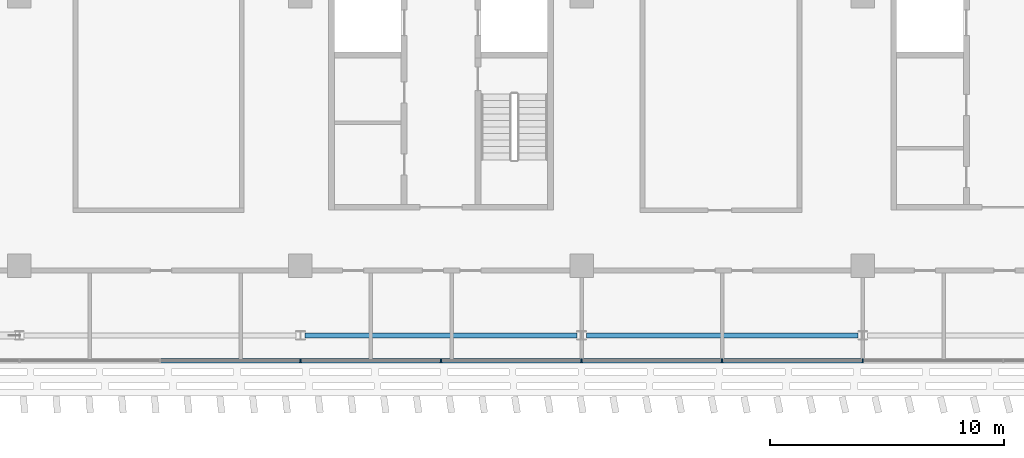
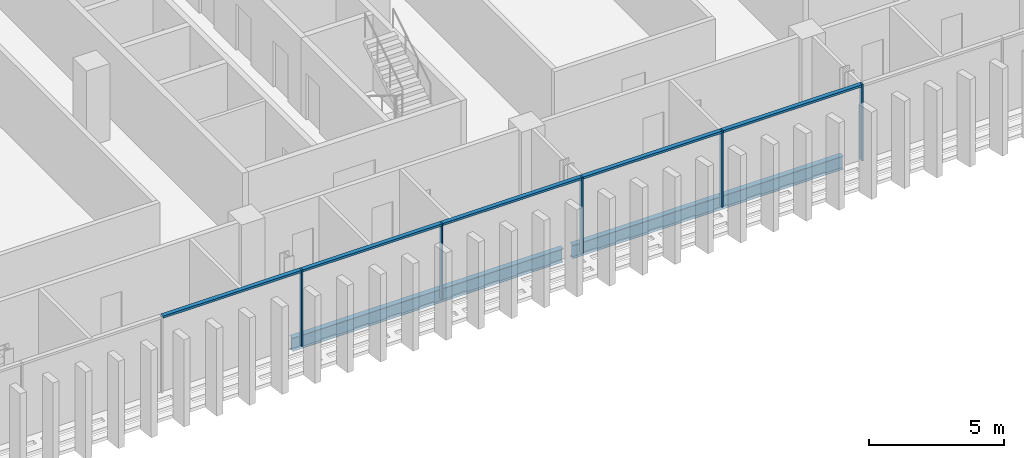
# One storey, part 8 of 32: 10 members, 2 beams, 1 element without a shape of its own.
"""IFC4 building model written with IfcOpenShell, lengths in metres."""

import ifcopenshell
import ifcopenshell.guid

model = None  # the IFC model being written
_history = None  # IfcOwnerHistory: only IFC2X3 demands one
_inside = {}  # id of a spatial element -> (the spatial element, [elements in it])
_under = {}  # id of a project, library or spatial element -> (it, [spatial elements below it])
_declared = {}  # id of a project -> (the project, [libraries it declares])
_typed = {}  # id of a type object -> (the type object, [elements of that type])
_made_of = {}  # id of a material, layer set ... -> (it, [elements and type objects made of it])


def new_model(schema):
    """Start an empty IFC model of exactly this schema.

    Asked for "IFC4X3", IfcOpenShell would pick the latest addendum, in which some entities
    have other attributes; the version numbers below select the first issue.
    IFC2X3 requires an IfcOwnerHistory on every rooted entity: one is made here for all.
    """
    global model, _history
    if schema == "IFC4X3":
        model = ifcopenshell.file(schema_version=(4, 3, 0, 0))
    else:
        model = ifcopenshell.file(schema=schema)
    _inside.clear()
    _under.clear()
    _declared.clear()
    _typed.clear()
    _made_of.clear()
    _history = None
    if model.schema == "IFC2X3":
        org = make("IfcOrganization", Name="unknown")
        user = make(
            "IfcPersonAndOrganization",
            ThePerson=make("IfcPerson", FamilyName="unknown"),
            TheOrganization=org,
        )
        app = make(
            "IfcApplication",
            ApplicationDeveloper=org,
            Version="unknown",
            ApplicationFullName="unknown",
            ApplicationIdentifier="unknown",
        )
        _history = make(
            "IfcOwnerHistory",
            OwningUser=user,
            OwningApplication=app,
            ChangeAction="ADDED",
            CreationDate=0,
        )
    return model


def make(cls, **values):
    """One entity of the class cls with the attributes given. An attribute that is None is left unset."""
    return model.create_entity(
        cls, **{name: value for name, value in values.items() if value is not None}
    )


def rooted(cls, **values):
    """An entity with a GlobalId (a new one), such as an element, a storey or a relation."""
    return make(cls, GlobalId=ifcopenshell.guid.new(), OwnerHistory=_history, **values)


def si_unit(unit_type, name, prefix=None):
    """IfcSIUnit, for example si_unit("LENGTHUNIT", "METRE", prefix="MILLI")."""
    return make("IfcSIUnit", UnitType=unit_type, Prefix=prefix, Name=name)


def assignment(units):
    """IfcUnitAssignment: the units of a project."""
    return None if units is None else make("IfcUnitAssignment", Units=units)


def point(xyz):
    """IfcCartesianPoint."""
    return None if xyz is None else make("IfcCartesianPoint", Coordinates=xyz)


def direction(xyz):
    """IfcDirection."""
    return None if xyz is None else make("IfcDirection", DirectionRatios=xyz)


def frame(location, z_axis=None, x_axis=None):
    """IfcAxis2Placement3D, a coordinate frame: its origin and axes. An axis left out is left unset."""
    return make(
        "IfcAxis2Placement3D",
        Location=point(location),
        Axis=direction(z_axis),
        RefDirection=direction(x_axis),
    )


def frame_2d(location, x_axis=None):
    """IfcAxis2Placement2D, a coordinate frame in the plane: its origin and x axis."""
    return make(
        "IfcAxis2Placement2D", Location=point(location), RefDirection=direction(x_axis)
    )


def origin():
    """The frame at (0, 0, 0) with its axes left unset."""
    return frame((0.0, 0.0, 0.0))


def origin_2d():
    """The frame at (0, 0) in the plane with its x axis left unset."""
    return frame_2d((0.0, 0.0))


def place(relative_to, where):
    """IfcLocalPlacement: puts the frame where relative to a parent placement (None: the world)."""
    return make(
        "IfcLocalPlacement", PlacementRelTo=relative_to, RelativePlacement=where
    )


def context(
    kind, dimensions, precision=None, world=None, true_north=None, identifier=None
):
    """IfcGeometricRepresentationContext, for example the 3D "Model" context."""
    return make(
        "IfcGeometricRepresentationContext",
        ContextIdentifier=identifier,
        ContextType=kind,
        CoordinateSpaceDimension=dimensions,
        Precision=precision,
        WorldCoordinateSystem=world,
        TrueNorth=true_north,
    )


def subcontext(parent, identifier, kind, view, scale=None):
    """IfcGeometricRepresentationSubContext, for example "Body" below "Model"."""
    return make(
        "IfcGeometricRepresentationSubContext",
        ContextIdentifier=identifier,
        ContextType=kind,
        ParentContext=parent,
        TargetScale=scale,
        TargetView=view,
    )


def project(units=None, contexts=None):
    """IfcProject with its units and contexts."""
    return rooted(
        "IfcProject",
        Name="project",
        RepresentationContexts=contexts,
        UnitsInContext=assignment(units),
    )


def spatial(cls, under=None, at=None, **own):
    """A site, building, storey or space (cls), placed at a placement, below another one or the project."""
    s = rooted(cls, ObjectPlacement=at, **own)
    if under is not None:
        _under.setdefault(under.id(), (under, []))[1].append(s)
    return s


def profile(cls, at=None, kind="AREA", **sizes):
    """A parametric profile (cls). Its sizes go by their IFC names, for example OverallWidth=200.0."""
    return make(cls, ProfileType=kind, Position=at, **sizes)


def rectangle(**sizes):
    """IfcRectangleProfileDef."""
    return profile("IfcRectangleProfileDef", **sizes)


def i_section(**sizes):
    """IfcIShapeProfileDef."""
    return profile("IfcIShapeProfileDef", **sizes)


def extrude(swept, where, along, depth):
    """IfcExtrudedAreaSolid: the profile swept, set in the frame where, extruded along a direction by depth."""
    return make(
        "IfcExtrudedAreaSolid",
        SweptArea=swept,
        Position=where,
        ExtrudedDirection=direction(along),
        Depth=depth,
    )


def shape(context_of_items, identifier, shape_type, items):
    """IfcShapeRepresentation: the items that make up one representation, for example the "Body"."""
    return make(
        "IfcShapeRepresentation",
        ContextOfItems=context_of_items,
        RepresentationIdentifier=identifier,
        RepresentationType=shape_type,
        Items=items,
    )


def material(Name=None, Category=None):
    """IfcMaterial."""
    return make("IfcMaterial", Name=Name, Category=Category)


def material_profile(
    of_material, cross_section, Name=None, Category=None, Priority=None
):
    """IfcMaterialProfile: a cross section and its material."""
    return make(
        "IfcMaterialProfile",
        Name=Name,
        Material=of_material,
        Profile=cross_section,
        Priority=Priority,
        Category=Category,
    )


def profile_set(profiles, Name=None, composite=None):
    """IfcMaterialProfileSet."""
    return make(
        "IfcMaterialProfileSet",
        Name=Name,
        MaterialProfiles=profiles,
        CompositeProfile=composite,
    )


def made_of(thing, what):
    """Note that an element or type object is made of a material, layer set ...; save() writes the relation."""
    if what is not None:
        _made_of.setdefault(what.id(), (what, []))[1].append(thing)
    return thing


def type_object(cls, material=None, **own):
    """A type object (cls), such as IfcWallType, which elements share."""
    return made_of(rooted(cls, **own), material)


def element(
    cls,
    number,
    at=None,
    inside=None,
    cuts=None,
    type_object=None,
    material=None,
    context=None,
    identifier="Body",
    shape_type=None,
    held_by="IfcProductDefinitionShape",
    body=None,
    shapes=None,
    **own,
):
    """One element of the class cls, such as IfcWall. Its Tag is "e" and its number.

    at: its placement. inside: the storey or other place that contains it. cuts: it is an
    opening in that element (IfcRelVoidsElement). A single representation is given by context,
    identifier, shape_type and body (its items); several are given by shapes. held_by: the class
    of the entity that holds the representations. save() writes the other relations.
    """
    e = rooted(cls, Tag="e%d" % number, ObjectPlacement=at, **own)
    if body is not None:
        shapes = [shape(context, identifier, shape_type, body)]
    if shapes is not None:
        e.Representation = make(held_by, Representations=shapes)
    if inside is not None:
        _inside.setdefault(inside.id(), (inside, []))[1].append(e)
    if cuts is not None:
        rooted(
            "IfcRelVoidsElement", RelatingBuildingElement=cuts, RelatedOpeningElement=e
        )
    if type_object is not None:
        _typed.setdefault(type_object.id(), (type_object, []))[1].append(e)
    return made_of(e, material)


def aggregate(whole, parts):
    """IfcRelAggregates: a whole, such as a stair, and the parts it consists of."""
    return rooted("IfcRelAggregates", RelatingObject=whole, RelatedObjects=parts)


def save(model, path):
    """Write the relations noted so far, then the file.

    IfcRelAggregates (storeys below a building ...), IfcRelContainedInSpatialStructure (elements
    in a storey), IfcRelDefinesByType, IfcRelAssociatesMaterial and IfcRelDeclares: one each for
    every whole, place, type object, material and project.
    """
    for whole, parts in _under.values():
        aggregate(whole, parts)
    for where, things in _inside.values():
        rooted(
            "IfcRelContainedInSpatialStructure",
            RelatedElements=things,
            RelatingStructure=where,
        )
    for kind, things in _typed.values():
        rooted("IfcRelDefinesByType", RelatedObjects=things, RelatingType=kind)
    for what, things in _made_of.values():
        rooted("IfcRelAssociatesMaterial", RelatedObjects=things, RelatingMaterial=what)
    for by, libraries in _declared.values():
        rooted("IfcRelDeclares", RelatingContext=by, RelatedDefinitions=libraries)
    model.write(path)


model = new_model("IFC4")

# Units and contexts
model_context = context("Model", 3, precision=1e-05, world=origin(), true_north=direction((0.0, 1.0)))
body_context = subcontext(model_context, "Body", "Model", "MODEL_VIEW")
ifc_project = project(units=[si_unit("LENGTHUNIT", "METRE"), si_unit("AREAUNIT", "SQUARE_METRE"), si_unit("VOLUMEUNIT", "CUBIC_METRE"), si_unit("PLANEANGLEUNIT", "RADIAN"), si_unit("MASSUNIT", "GRAM", prefix="KILO")], contexts=[model_context])

# Site, building, storey
site_placement = place(None, origin())
site = spatial("IfcSite", under=ifc_project, at=site_placement, CompositionType="ELEMENT")
building_placement = place(site_placement, origin())
building = spatial("IfcBuilding", under=site, at=building_placement, Name="Mahtab Terrace Research Tower", CompositionType="ELEMENT")
storey_placement = place(building_placement, frame((0.0, 0.0, 243.800048828125)))
storey = spatial("IfcBuildingStorey", under=building, at=storey_placement, Name="L59", CompositionType="ELEMENT", Elevation=243.800048828125)

# Curtain wall, members
ifc_material_1 = material(Name="Office ribbon curtain wall")
curtain_wall_type = type_object("IfcCurtainWallType", Name="Office ribbon curtain wall", PredefinedType="NOTDEFINED", material=ifc_material_1)
curtain_wall_placement = place(storey_placement, origin())
curtain_wall = element("IfcCurtainWall", 1, at=curtain_wall_placement, inside=storey, type_object=curtain_wall_type, Name="EN.L59.13.15", PredefinedType="NOTDEFINED")
ifc_material_2 = material(Name="Natural anodised aluminium", Category="aluminium")
ifc_material_profile_1 = material_profile(ifc_material_2, rectangle(XDim=0.179931640625, YDim=0.06005859375, at=origin_2d()), Name="MULLION 60x180")
ifc_profile_set_1 = profile_set([ifc_material_profile_1], Name="Natural anodised aluminium")
member_type_1 = type_object("IfcMemberType", Name="Office ribbon curtain wall mullion", PredefinedType="MULLION", material=ifc_profile_set_1)
member_1_placement = place(storey_placement, frame((-6.0, -15.555908203125, 0.0), z_axis=(0.0, 0.0, 1.0), x_axis=(0.0, 1.0, 0.0)))
member_1 = element("IfcMember", 2, at=member_1_placement, type_object=member_type_1, Name="CWO-7 mullion 6", PredefinedType="MULLION", context=body_context, shape_type="SweptSolid", body=[
    extrude(rectangle(XDim=0.179931640625, YDim=0.06005859375, at=origin_2d()), origin(), (0.0, 0.0, 1.0), 3.4599609375),
])
member_2_placement = place(storey_placement, frame((0.0, -15.555908203125, 0.0), z_axis=(0.0, 0.0, 1.0), x_axis=(0.0, 1.0, 0.0)))
member_2 = element("IfcMember", 3, at=member_2_placement, type_object=member_type_1, Name="CWO-7 mullion 7", PredefinedType="MULLION", context=body_context, shape_type="SweptSolid", body=[
    extrude(rectangle(XDim=0.179931640625, YDim=0.06005859375, at=origin_2d()), origin(), (0.0, 0.0, 1.0), 3.4599609375),
])
member_3_placement = place(storey_placement, frame((6.0, -15.555908203125, 0.0), z_axis=(0.0, 0.0, 1.0), x_axis=(0.0, 1.0, 0.0)))
member_3 = element("IfcMember", 4, at=member_3_placement, type_object=member_type_1, Name="CWO-7 mullion 8", PredefinedType="MULLION", context=body_context, shape_type="SweptSolid", body=[
    extrude(rectangle(XDim=0.179931640625, YDim=0.06005859375, at=origin_2d()), origin(), (0.0, 0.0, 1.0), 3.4599609375),
])
member_4_placement = place(storey_placement, frame((12.0, -15.555908203125, 0.0), z_axis=(0.0, 0.0, 1.0), x_axis=(0.0, 1.0, 0.0)))
member_4 = element("IfcMember", 5, at=member_4_placement, type_object=member_type_1, Name="CWO-7 mullion 9", PredefinedType="MULLION", context=body_context, shape_type="SweptSolid", body=[
    extrude(rectangle(XDim=0.179931640625, YDim=0.06005859375, at=origin_2d()), origin(), (0.0, 0.0, 1.0), 3.4599609375),
])
member_5_placement = place(storey_placement, frame((18.0, -15.555908203125, 0.0), z_axis=(0.0, 0.0, 1.0), x_axis=(0.0, 1.0, 0.0)))
member_5 = element("IfcMember", 6, at=member_5_placement, type_object=member_type_1, Name="CWO-7 mullion 10", PredefinedType="MULLION", context=body_context, shape_type="SweptSolid", body=[
    extrude(rectangle(XDim=0.179931640625, YDim=0.06005859375, at=origin_2d()), origin(), (0.0, 0.0, 1.0), 3.4599609375),
])
ifc_material_profile_2 = material_profile(ifc_material_2, rectangle(XDim=0.179931640625, YDim=0.10009765625, at=origin_2d()), Name="TRANSOM 100x180")
ifc_profile_set_2 = profile_set([ifc_material_profile_2], Name="Natural anodised aluminium")
member_type_2 = type_object("IfcMemberType", Name="Office ribbon curtain wall transom", PredefinedType="USERDEFINED", material=ifc_profile_set_2)
member_6_placement = place(storey_placement, frame((-11.969970703125, -15.555908203125, 3.409912109375), z_axis=(1.0, 0.0, 0.0), x_axis=(0.0, 1.0, 0.0)))
member_6 = element("IfcMember", 7, at=member_6_placement, type_object=member_type_2, Name="CWO-7 transom 5", ObjectType="TRANSOM", PredefinedType="USERDEFINED", context=body_context, shape_type="SweptSolid", body=[
    extrude(rectangle(XDim=0.179931640625, YDim=0.10009765625, at=origin_2d()), origin(), (0.0, 0.0, 1.0), 5.93994140625),
])
member_7_placement = place(storey_placement, frame((-5.969970703125, -15.555908203125, 3.409912109375), z_axis=(1.0, 0.0, 0.0), x_axis=(0.0, 1.0, 0.0)))
member_7 = element("IfcMember", 8, at=member_7_placement, type_object=member_type_2, Name="CWO-7 transom 6", ObjectType="TRANSOM", PredefinedType="USERDEFINED", context=body_context, shape_type="SweptSolid", body=[
    extrude(rectangle(XDim=0.179931640625, YDim=0.10009765625, at=origin_2d()), origin(), (0.0, 0.0, 1.0), 5.93994140625),
])
member_8_placement = place(storey_placement, frame((0.030029296875, -15.555908203125, 3.409912109375), z_axis=(1.0, 0.0, 0.0), x_axis=(0.0, 1.0, 0.0)))
member_8 = element("IfcMember", 9, at=member_8_placement, type_object=member_type_2, Name="CWO-7 transom 7", ObjectType="TRANSOM", PredefinedType="USERDEFINED", context=body_context, shape_type="SweptSolid", body=[
    extrude(rectangle(XDim=0.179931640625, YDim=0.10009765625, at=origin_2d()), origin(), (0.0, 0.0, 1.0), 5.93994140625),
])
member_9_placement = place(storey_placement, frame((6.030029296875, -15.555908203125, 3.409912109375), z_axis=(1.0, 0.0, 0.0), x_axis=(0.0, 1.0, 0.0)))
member_9 = element("IfcMember", 10, at=member_9_placement, type_object=member_type_2, Name="CWO-7 transom 8", ObjectType="TRANSOM", PredefinedType="USERDEFINED", context=body_context, shape_type="SweptSolid", body=[
    extrude(rectangle(XDim=0.179931640625, YDim=0.10009765625, at=origin_2d()), origin(), (0.0, 0.0, 1.0), 5.93994140625),
])
member_10_placement = place(storey_placement, frame((12.030029296875, -15.555908203125, 3.409912109375), z_axis=(1.0, 0.0, 0.0), x_axis=(0.0, 1.0, 0.0)))
member_10 = element("IfcMember", 11, at=member_10_placement, type_object=member_type_2, Name="CWO-7 transom 9", ObjectType="TRANSOM", PredefinedType="USERDEFINED", context=body_context, shape_type="SweptSolid", body=[
    extrude(rectangle(XDim=0.179931640625, YDim=0.10009765625, at=origin_2d()), origin(), (0.0, 0.0, 1.0), 5.93994140625),
])
aggregate(curtain_wall, [member_1, member_2, member_3, member_4, member_5, member_6, member_7, member_8, member_9, member_10])

# Beams
ifc_material_3 = material(Name="Steel ASTM A992 Gr 50", Category="steel")
ifc_material_profile_3 = material_profile(ifc_material_3, i_section(OverallWidth=0.228271484375, OverallDepth=0.607177734375, WebThickness=0.01123046875, FlangeThickness=0.017333984375, at=origin_2d()), Name="W24X76")
ifc_profile_set_3 = profile_set([ifc_material_profile_3], Name="Steel ASTM A992 Gr 50")
beam_type = type_object("IfcBeamType", Name="W24x76 beam BS2476", PredefinedType="BEAM", material=ifc_profile_set_3)
for number, where, z_axis, x_axis, name in (
    (12, (-5.800537109375, -14.472900390625, -0.6435546875), (1.0, 0.0, 0.0), (0.0, 1.0, 0.0), "Spandrel beam L59 15"),
    (13, (6.199462890625, -14.472900390625, -0.6435546875), (1.0, 0.0, 0.0), (0.0, 1.0, 0.0), "Spandrel beam L59 16"),
):
    element("IfcBeam", number, at=place(storey_placement, frame(where, z_axis=z_axis, x_axis=x_axis)), inside=storey, type_object=beam_type, Name=name, PredefinedType="BEAM", context=body_context, shape_type="SweptSolid", body=[
        extrude(i_section(OverallWidth=0.228271484375, OverallDepth=0.607177734375, WebThickness=0.01123046875, FlangeThickness=0.017333984375, at=origin_2d()), origin(), (0.0, 0.0, 1.0), 11.60107421875),
    ])

save(model, "model.ifc")
